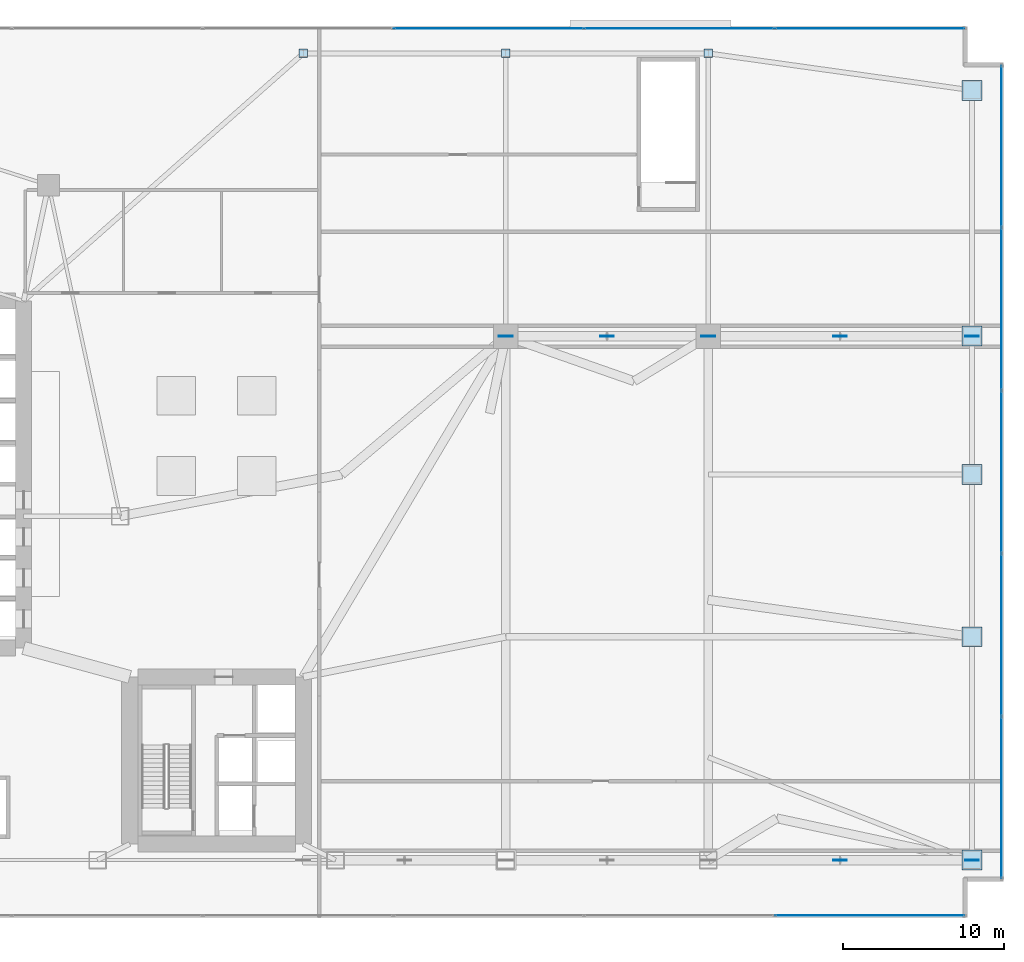
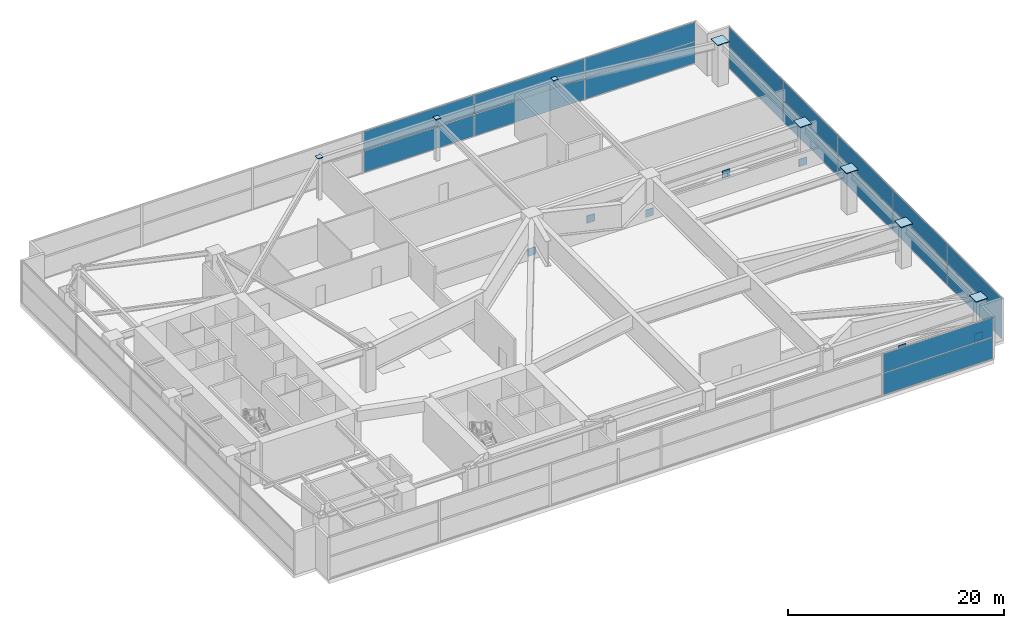
# One storey, part 30 of 36: 33 plates, 3 elements without a shape of their own.
"""IFC4 building model written with IfcOpenShell, lengths in metres."""

from ifc_helpers import new_model, si_unit, direction, frame, origin, origin_2d, place, context, subcontext, project, spatial, rectangle, extrude, material, layer, layer_set, type_object, element, aggregate, save


model = new_model("IFC4")

# Units and contexts
model_context = context("Model", 3, precision=1e-05, world=origin(), true_north=direction((0.0, 1.0)))
body_context = subcontext(model_context, "Body", "Model", "MODEL_VIEW")
ifc_project = project(units=[si_unit("LENGTHUNIT", "METRE"), si_unit("AREAUNIT", "SQUARE_METRE"), si_unit("VOLUMEUNIT", "CUBIC_METRE"), si_unit("PLANEANGLEUNIT", "RADIAN"), si_unit("MASSUNIT", "GRAM", prefix="KILO")], contexts=[model_context])

# Site, building, storey
site_placement = place(None, origin())
site = spatial("IfcSite", under=ifc_project, at=site_placement, CompositionType="ELEMENT")
building_placement = place(site_placement, origin())
building = spatial("IfcBuilding", under=site, at=building_placement, Name="Calvorn Quay Hotel", CompositionType="ELEMENT")
storey_placement = place(building_placement, frame((0.0, 0.0, 22.0)))
storey = spatial("IfcBuildingStorey", under=building, at=storey_placement, Name="L04", CompositionType="ELEMENT", Elevation=22.0)

# Curtain wall, plates
ifc_material_1 = material(Name="Pale Anodised Aluminium and Low-E Glass", Category="aluminium")
ifc_layer_1 = layer(ifc_material_1, 0.219970703125)
ifc_layer_set_1 = layer_set([ifc_layer_1], Name="CW-SYS-POD")
curtain_wall_type = type_object("IfcCurtainWallType", Name="CW-SYS-POD", PredefinedType="NOTDEFINED", material=ifc_layer_set_1)
curtain_wall_1_placement = place(storey_placement, origin())
curtain_wall_1 = element("IfcCurtainWall", 1, at=curtain_wall_1_placement, inside=storey, type_object=curtain_wall_type, Name="Podium Curtain Wall L04-S1", PredefinedType="NOTDEFINED")
ifc_material_2 = material(Name="Low-E Laminated Double Glazing", Category="glass")
ifc_layer_2 = layer(ifc_material_2, 0.028076171875)
ifc_layer_set_2 = layer_set([ifc_layer_2], Name="CW-SYS-POD-PAN")
plate_type_1 = type_object("IfcPlateType", Name="CW-SYS-POD-PAN", PredefinedType="CURTAIN_PANEL", material=ifc_layer_set_2)
plate_1_placement = place(storey_placement, frame((67.651611328125, 0.14990234375, 0.06005859375), z_axis=(0.0, 0.0, 1.0), x_axis=(1.0, 0.0, 0.0)))
plate_1 = element("IfcPlate", 2, at=plate_1_placement, type_object=plate_type_1, Name="CW-L04-S1 panel 6.1", PredefinedType="CURTAIN_PANEL", context=body_context, shape_type="SweptSolid", body=[
    extrude(rectangle(XDim=11.776611328125, YDim=0.028076171875, at=origin_2d()), origin(), (0.0, 0.0, 1.0), 2.409912109375),
])
plate_2_placement = place(storey_placement, frame((67.651611328125, 0.14990234375, 2.530029296875), z_axis=(0.0, 0.0, 1.0), x_axis=(1.0, 0.0, 0.0)))
plate_2 = element("IfcPlate", 3, at=plate_2_placement, type_object=plate_type_1, Name="CW-L04-S1 panel 6.2", PredefinedType="CURTAIN_PANEL", context=body_context, shape_type="SweptSolid", body=[
    extrude(rectangle(XDim=11.776611328125, YDim=0.028076171875, at=origin_2d()), origin(), (0.0, 0.0, 1.0), 2.169921875),
])
aggregate(curtain_wall_1, [plate_1, plate_2])

curtain_wall_2_placement = place(storey_placement, origin())
curtain_wall_2 = element("IfcCurtainWall", 4, at=curtain_wall_2_placement, inside=storey, type_object=curtain_wall_type, Name="Podium Curtain Wall L04-N1", PredefinedType="NOTDEFINED")
plate_3_placement = place(storey_placement, frame((43.933349609375, 55.35009765625, 0.06005859375), z_axis=(0.0, 0.0, 1.0), x_axis=(1.0, 0.0, 0.0)))
plate_3 = element("IfcPlate", 5, at=plate_3_placement, type_object=plate_type_1, Name="CW-L04-N1 panel 4.1", PredefinedType="CURTAIN_PANEL", context=body_context, shape_type="SweptSolid", body=[
    extrude(rectangle(XDim=11.806640625, YDim=0.028076171875, at=origin_2d()), origin(), (0.0, 0.0, 1.0), 2.409912109375),
])
plate_4_placement = place(storey_placement, frame((43.933349609375, 55.35009765625, 2.530029296875), z_axis=(0.0, 0.0, 1.0), x_axis=(1.0, 0.0, 0.0)))
plate_4 = element("IfcPlate", 6, at=plate_4_placement, type_object=plate_type_1, Name="CW-L04-N1 panel 4.2", PredefinedType="CURTAIN_PANEL", context=body_context, shape_type="SweptSolid", body=[
    extrude(rectangle(XDim=11.806640625, YDim=0.028076171875, at=origin_2d()), origin(), (0.0, 0.0, 1.0), 2.169921875),
])
plate_5_placement = place(storey_placement, frame((55.800048828125, 55.35009765625, 0.06005859375), z_axis=(0.0, 0.0, 1.0), x_axis=(1.0, 0.0, 0.0)))
plate_5 = element("IfcPlate", 7, at=plate_5_placement, type_object=plate_type_1, Name="CW-L04-N1 panel 5.1", PredefinedType="CURTAIN_PANEL", context=body_context, shape_type="SweptSolid", body=[
    extrude(rectangle(XDim=11.806640625, YDim=0.028076171875, at=origin_2d()), origin(), (0.0, 0.0, 1.0), 2.409912109375),
])
plate_6_placement = place(storey_placement, frame((55.800048828125, 55.35009765625, 2.530029296875), z_axis=(0.0, 0.0, 1.0), x_axis=(1.0, 0.0, 0.0)))
plate_6 = element("IfcPlate", 8, at=plate_6_placement, type_object=plate_type_1, Name="CW-L04-N1 panel 5.2", PredefinedType="CURTAIN_PANEL", context=body_context, shape_type="SweptSolid", body=[
    extrude(rectangle(XDim=11.806640625, YDim=0.028076171875, at=origin_2d()), origin(), (0.0, 0.0, 1.0), 2.169921875),
])
plate_7_placement = place(storey_placement, frame((67.651611328125, 55.35009765625, 0.06005859375), z_axis=(0.0, 0.0, 1.0), x_axis=(1.0, 0.0, 0.0)))
plate_7 = element("IfcPlate", 9, at=plate_7_placement, type_object=plate_type_1, Name="CW-L04-N1 panel 6.1", PredefinedType="CURTAIN_PANEL", context=body_context, shape_type="SweptSolid", body=[
    extrude(rectangle(XDim=11.776611328125, YDim=0.028076171875, at=origin_2d()), origin(), (0.0, 0.0, 1.0), 2.409912109375),
])
plate_8_placement = place(storey_placement, frame((67.651611328125, 55.35009765625, 2.530029296875), z_axis=(0.0, 0.0, 1.0), x_axis=(1.0, 0.0, 0.0)))
plate_8 = element("IfcPlate", 10, at=plate_8_placement, type_object=plate_type_1, Name="CW-L04-N1 panel 6.2", PredefinedType="CURTAIN_PANEL", context=body_context, shape_type="SweptSolid", body=[
    extrude(rectangle(XDim=11.776611328125, YDim=0.028076171875, at=origin_2d()), origin(), (0.0, 0.0, 1.0), 2.169921875),
])
aggregate(curtain_wall_2, [plate_3, plate_4, plate_5, plate_6, plate_7, plate_8])

curtain_wall_3_placement = place(storey_placement, origin())
curtain_wall_3 = element("IfcCurtainWall", 11, at=curtain_wall_3_placement, inside=storey, type_object=curtain_wall_type, Name="Podium Curtain Wall L04-E1", PredefinedType="NOTDEFINED")
plate_9_placement = place(storey_placement, frame((75.85009765625, 7.485107421875, 0.06005859375), z_axis=(0.0, 0.0, 1.0), x_axis=(0.0, 1.0, 0.0)))
plate_9 = element("IfcPlate", 12, at=plate_9_placement, type_object=plate_type_1, Name="CW-L04-E1 panel 1.1", PredefinedType="CURTAIN_PANEL", context=body_context, shape_type="SweptSolid", body=[
    extrude(rectangle(XDim=10.050048828125, YDim=0.028076171875, at=origin_2d()), origin(), (0.0, 0.0, 1.0), 2.409912109375),
])
plate_10_placement = place(storey_placement, frame((75.85009765625, 7.485107421875, 2.530029296875), z_axis=(0.0, 0.0, 1.0), x_axis=(0.0, 1.0, 0.0)))
plate_10 = element("IfcPlate", 13, at=plate_10_placement, type_object=plate_type_1, Name="CW-L04-E1 panel 1.2", PredefinedType="CURTAIN_PANEL", context=body_context, shape_type="SweptSolid", body=[
    extrude(rectangle(XDim=10.050048828125, YDim=0.028076171875, at=origin_2d()), origin(), (0.0, 0.0, 1.0), 2.169921875),
])
plate_11_placement = place(storey_placement, frame((75.85009765625, 17.610107421875, 0.06005859375), z_axis=(0.0, 0.0, 1.0), x_axis=(0.0, 1.0, 0.0)))
plate_11 = element("IfcPlate", 14, at=plate_11_placement, type_object=plate_type_1, Name="CW-L04-E1 panel 2.1", PredefinedType="CURTAIN_PANEL", context=body_context, shape_type="SweptSolid", body=[
    extrude(rectangle(XDim=10.080078125, YDim=0.028076171875, at=origin_2d()), origin(), (0.0, 0.0, 1.0), 2.409912109375),
])
plate_12_placement = place(storey_placement, frame((75.85009765625, 17.610107421875, 2.530029296875), z_axis=(0.0, 0.0, 1.0), x_axis=(0.0, 1.0, 0.0)))
plate_12 = element("IfcPlate", 15, at=plate_12_placement, type_object=plate_type_1, Name="CW-L04-E1 panel 2.2", PredefinedType="CURTAIN_PANEL", context=body_context, shape_type="SweptSolid", body=[
    extrude(rectangle(XDim=10.080078125, YDim=0.028076171875, at=origin_2d()), origin(), (0.0, 0.0, 1.0), 2.169921875),
])
plate_13_placement = place(storey_placement, frame((75.85009765625, 27.75, 0.06005859375), z_axis=(0.0, 0.0, 1.0), x_axis=(0.0, 1.0, 0.0)))
plate_13 = element("IfcPlate", 16, at=plate_13_placement, type_object=plate_type_1, Name="CW-L04-E1 panel 3.1", PredefinedType="CURTAIN_PANEL", context=body_context, shape_type="SweptSolid", body=[
    extrude(rectangle(XDim=10.080078125, YDim=0.028076171875, at=origin_2d()), origin(), (0.0, 0.0, 1.0), 2.409912109375),
])
plate_14_placement = place(storey_placement, frame((75.85009765625, 27.75, 2.530029296875), z_axis=(0.0, 0.0, 1.0), x_axis=(0.0, 1.0, 0.0)))
plate_14 = element("IfcPlate", 17, at=plate_14_placement, type_object=plate_type_1, Name="CW-L04-E1 panel 3.2", PredefinedType="CURTAIN_PANEL", context=body_context, shape_type="SweptSolid", body=[
    extrude(rectangle(XDim=10.080078125, YDim=0.028076171875, at=origin_2d()), origin(), (0.0, 0.0, 1.0), 2.169921875),
])
plate_15_placement = place(storey_placement, frame((75.85009765625, 37.889892578125, 0.06005859375), z_axis=(0.0, 0.0, 1.0), x_axis=(0.0, 1.0, 0.0)))
plate_15 = element("IfcPlate", 18, at=plate_15_placement, type_object=plate_type_1, Name="CW-L04-E1 panel 4.1", PredefinedType="CURTAIN_PANEL", context=body_context, shape_type="SweptSolid", body=[
    extrude(rectangle(XDim=10.080078125, YDim=0.028076171875, at=origin_2d()), origin(), (0.0, 0.0, 1.0), 2.409912109375),
])
plate_16_placement = place(storey_placement, frame((75.85009765625, 37.889892578125, 2.530029296875), z_axis=(0.0, 0.0, 1.0), x_axis=(0.0, 1.0, 0.0)))
plate_16 = element("IfcPlate", 19, at=plate_16_placement, type_object=plate_type_1, Name="CW-L04-E1 panel 4.2", PredefinedType="CURTAIN_PANEL", context=body_context, shape_type="SweptSolid", body=[
    extrude(rectangle(XDim=10.080078125, YDim=0.028076171875, at=origin_2d()), origin(), (0.0, 0.0, 1.0), 2.169921875),
])
plate_17_placement = place(storey_placement, frame((75.85009765625, 48.014892578125, 0.06005859375), z_axis=(0.0, 0.0, 1.0), x_axis=(0.0, 1.0, 0.0)))
plate_17 = element("IfcPlate", 20, at=plate_17_placement, type_object=plate_type_1, Name="CW-L04-E1 panel 5.1", PredefinedType="CURTAIN_PANEL", context=body_context, shape_type="SweptSolid", body=[
    extrude(rectangle(XDim=10.050048828125, YDim=0.028076171875, at=origin_2d()), origin(), (0.0, 0.0, 1.0), 2.409912109375),
])
plate_18_placement = place(storey_placement, frame((75.85009765625, 48.014892578125, 2.530029296875), z_axis=(0.0, 0.0, 1.0), x_axis=(0.0, 1.0, 0.0)))
plate_18 = element("IfcPlate", 21, at=plate_18_placement, type_object=plate_type_1, Name="CW-L04-E1 panel 5.2", PredefinedType="CURTAIN_PANEL", context=body_context, shape_type="SweptSolid", body=[
    extrude(rectangle(XDim=10.050048828125, YDim=0.028076171875, at=origin_2d()), origin(), (0.0, 0.0, 1.0), 2.169921875),
])
aggregate(curtain_wall_3, [plate_9, plate_10, plate_11, plate_12, plate_13, plate_14, plate_15, plate_16, plate_17, plate_18])

# Plates
ifc_material_3 = material(Name="Steel Q420GJC", Category="steel")
ifc_layer_3 = layer(ifc_material_3, 0.050048828125)
ifc_layer_set_3 = layer_set([ifc_layer_3], Name="PLT-GUSSET-50")
plate_type_2 = type_object("IfcPlateType", Name="PLT-GUSSET-50", PredefinedType="SHEET", material=ifc_layer_set_3)
for number, where, z_axis, x_axis, name in (
    (22, (65.800048828125, 3.60009765625, 1.4150390625), (0.0, 0.0, 1.0), (1.0, 0.0, 0.0), "Transfer Truss Gusset Plate 1-3M"),
    (23, (74.0, 3.60009765625, -0.125), (0.0, 0.0, 1.0), (1.0, 0.0, 0.0), "Transfer Truss Gusset Plate 1-3B"),
    (24, (45.0, 36.199951171875, -0.125), (0.0, 0.0, 1.0), (1.0, 0.0, 0.0), "Transfer Truss Gusset Plate 2-1A"),
    (25, (51.300048828125, 36.199951171875, 1.4150390625), (0.0, 0.0, 1.0), (1.0, 0.0, 0.0), "Transfer Truss Gusset Plate 2-1M"),
    (26, (57.60009765625, 36.199951171875, -0.125), (0.0, 0.0, 1.0), (1.0, 0.0, 0.0), "Transfer Truss Gusset Plate 2-1B"),
    (27, (65.800048828125, 36.199951171875, 1.4150390625), (0.0, 0.0, 1.0), (1.0, 0.0, 0.0), "Transfer Truss Gusset Plate 2-2M"),
    (28, (74.0, 36.199951171875, -0.125), (0.0, 0.0, 1.0), (1.0, 0.0, 0.0), "Transfer Truss Gusset Plate 2-2B"),
):
    element("IfcPlate", number, at=place(storey_placement, frame(where, z_axis=z_axis, x_axis=x_axis)), inside=storey, type_object=plate_type_2, Name=name, PredefinedType="SHEET", context=body_context, shape_type="SweptSolid", body=[
        extrude(rectangle(XDim=0.85009765625, YDim=0.050048828125, at=origin_2d()), origin(), (0.0, 0.0, 1.0), 0.85009765625),
    ])
ifc_material_4 = material(Name="Steel Q390GJC", Category="steel")
ifc_layer_4 = layer(ifc_material_4, 0.031982421875)
ifc_layer_set_4 = layer_set([ifc_layer_4], Name="PLT-SPLICE-32")
plate_type_3 = type_object("IfcPlateType", Name="PLT-SPLICE-32", PredefinedType="USERDEFINED", material=ifc_layer_set_4)
for number, where, z_axis, x_axis, name in (
    (29, (74.0, 3.60009765625, 4.699951171875), (0.0, 0.0, 1.0), (1.0, 0.0, 0.0), "Column Top Cap Plate C-PE1 (L04)"),
    (30, (74.0, 17.5, 4.699951171875), (0.0, 0.0, 1.0), (1.0, 0.0, 0.0), "Column Top Cap Plate C-PE2 (L04)"),
    (31, (74.0, 27.60009765625, 4.699951171875), (0.0, 0.0, 1.0), (1.0, 0.0, 0.0), "Column Top Cap Plate C-PE3 (L04)"),
    (32, (74.0, 36.199951171875, 4.699951171875), (0.0, 0.0, 1.0), (1.0, 0.0, 0.0), "Column Top Cap Plate C-PE4 (L04)"),
    (33, (74.0, 51.5, 4.699951171875), (0.0, 0.0, 1.0), (1.0, 0.0, 0.0), "Column Top Cap Plate C-PE5 (L04)"),
):
    element("IfcPlate", number, at=place(storey_placement, frame(where, z_axis=z_axis, x_axis=x_axis)), inside=storey, type_object=plate_type_3, Name=name, ObjectType="SPLICE_PLATE", PredefinedType="USERDEFINED", context=body_context, shape_type="SweptSolid", body=[
        extrude(rectangle(XDim=1.239990234375, YDim=1.239990234375, at=origin_2d()), origin(), (0.0, 0.0, 1.0), 0.10009765625),
    ])
for number, where, z_axis, x_axis, name in (
    (34, (32.39990234375, 53.800048828125, 4.699951171875), (0.0, 0.0, 1.0), (1.0, 0.0, 0.0), "Column Top Cap Plate C-PN3 (L04)"),
    (35, (45.0, 53.800048828125, 4.699951171875), (0.0, 0.0, 1.0), (1.0, 0.0, 0.0), "Column Top Cap Plate C-PN4 (L04)"),
    (36, (57.60009765625, 53.800048828125, 4.699951171875), (0.0, 0.0, 1.0), (1.0, 0.0, 0.0), "Column Top Cap Plate C-PN5 (L04)"),
):
    element("IfcPlate", number, at=place(storey_placement, frame(where, z_axis=z_axis, x_axis=x_axis)), inside=storey, type_object=plate_type_3, Name=name, ObjectType="SPLICE_PLATE", PredefinedType="USERDEFINED", context=body_context, shape_type="SweptSolid", body=[
        extrude(rectangle(XDim=0.5400390625, YDim=0.5400390625, at=origin_2d()), origin(), (0.0, 0.0, 1.0), 0.10009765625),
    ])

save(model, "model.ifc")
